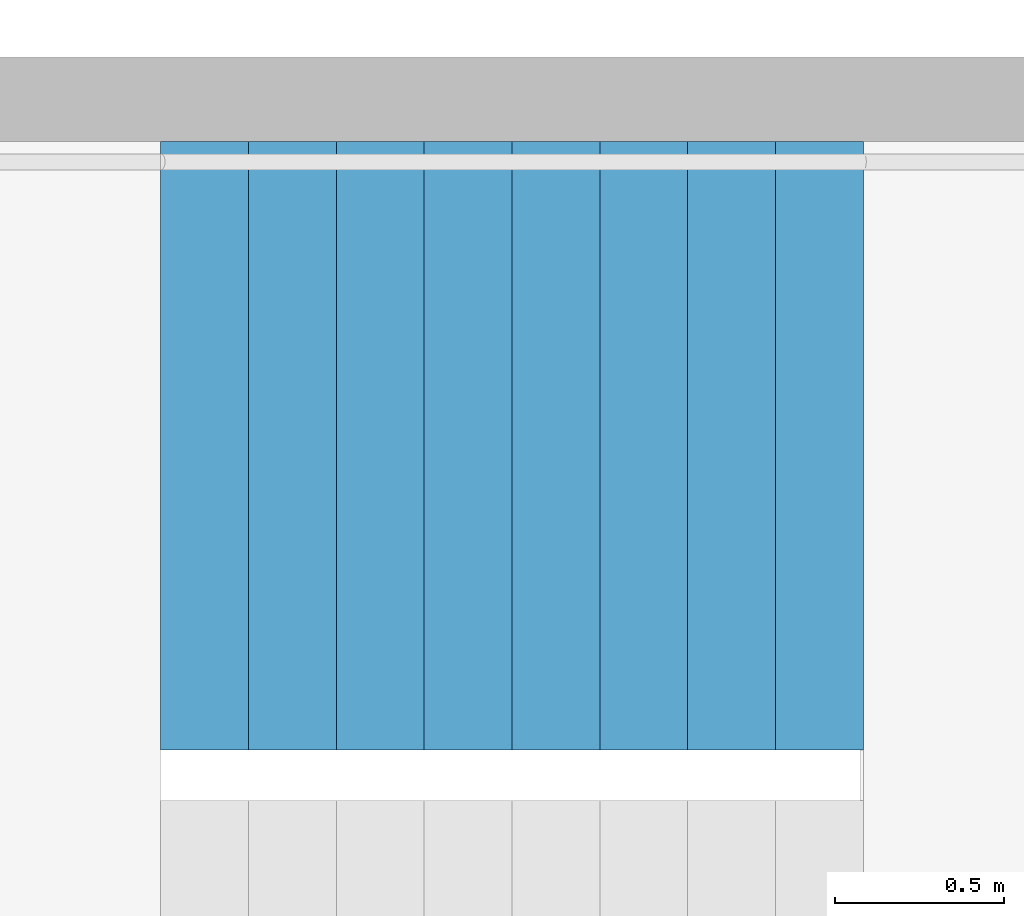
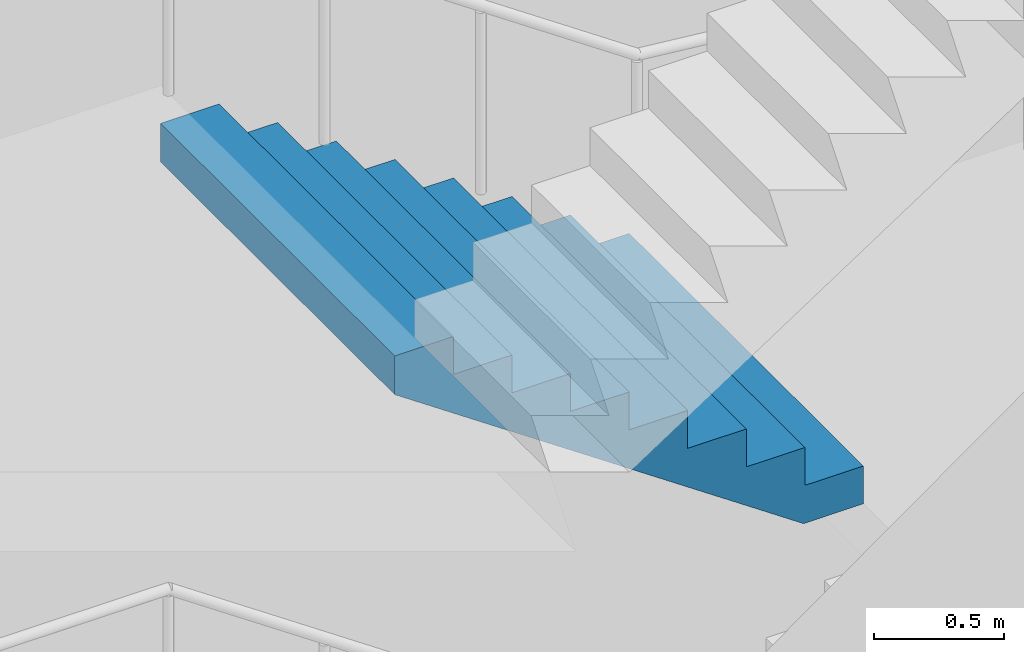
# One storey, part 20 of 43: 1 stair flight, 1 element without a shape of its own.
"""IFC4 building model written with IfcOpenShell, lengths in metres."""

import ifcopenshell
import ifcopenshell.guid

model = None  # the IFC model being written
_history = None  # IfcOwnerHistory: only IFC2X3 demands one
_inside = {}  # id of a spatial element -> (the spatial element, [elements in it])
_under = {}  # id of a project, library or spatial element -> (it, [spatial elements below it])
_declared = {}  # id of a project -> (the project, [libraries it declares])
_typed = {}  # id of a type object -> (the type object, [elements of that type])
_made_of = {}  # id of a material, layer set ... -> (it, [elements and type objects made of it])


def new_model(schema):
    """Start an empty IFC model of exactly this schema.

    Asked for "IFC4X3", IfcOpenShell would pick the latest addendum, in which some entities
    have other attributes; the version numbers below select the first issue.
    IFC2X3 requires an IfcOwnerHistory on every rooted entity: one is made here for all.
    """
    global model, _history
    if schema == "IFC4X3":
        model = ifcopenshell.file(schema_version=(4, 3, 0, 0))
    else:
        model = ifcopenshell.file(schema=schema)
    _inside.clear()
    _under.clear()
    _declared.clear()
    _typed.clear()
    _made_of.clear()
    _history = None
    if model.schema == "IFC2X3":
        org = make("IfcOrganization", Name="unknown")
        user = make(
            "IfcPersonAndOrganization",
            ThePerson=make("IfcPerson", FamilyName="unknown"),
            TheOrganization=org,
        )
        app = make(
            "IfcApplication",
            ApplicationDeveloper=org,
            Version="unknown",
            ApplicationFullName="unknown",
            ApplicationIdentifier="unknown",
        )
        _history = make(
            "IfcOwnerHistory",
            OwningUser=user,
            OwningApplication=app,
            ChangeAction="ADDED",
            CreationDate=0,
        )
    return model


def make(cls, **values):
    """One entity of the class cls with the attributes given. An attribute that is None is left unset."""
    return model.create_entity(
        cls, **{name: value for name, value in values.items() if value is not None}
    )


def rooted(cls, **values):
    """An entity with a GlobalId (a new one), such as an element, a storey or a relation."""
    return make(cls, GlobalId=ifcopenshell.guid.new(), OwnerHistory=_history, **values)


def si_unit(unit_type, name, prefix=None):
    """IfcSIUnit, for example si_unit("LENGTHUNIT", "METRE", prefix="MILLI")."""
    return make("IfcSIUnit", UnitType=unit_type, Prefix=prefix, Name=name)


def assignment(units):
    """IfcUnitAssignment: the units of a project."""
    return None if units is None else make("IfcUnitAssignment", Units=units)


def point(xyz):
    """IfcCartesianPoint."""
    return None if xyz is None else make("IfcCartesianPoint", Coordinates=xyz)


def direction(xyz):
    """IfcDirection."""
    return None if xyz is None else make("IfcDirection", DirectionRatios=xyz)


def frame(location, z_axis=None, x_axis=None):
    """IfcAxis2Placement3D, a coordinate frame: its origin and axes. An axis left out is left unset."""
    return make(
        "IfcAxis2Placement3D",
        Location=point(location),
        Axis=direction(z_axis),
        RefDirection=direction(x_axis),
    )


def origin():
    """The frame at (0, 0, 0) with its axes left unset."""
    return frame((0.0, 0.0, 0.0))


def place(relative_to, where):
    """IfcLocalPlacement: puts the frame where relative to a parent placement (None: the world)."""
    return make(
        "IfcLocalPlacement", PlacementRelTo=relative_to, RelativePlacement=where
    )


def context(
    kind, dimensions, precision=None, world=None, true_north=None, identifier=None
):
    """IfcGeometricRepresentationContext, for example the 3D "Model" context."""
    return make(
        "IfcGeometricRepresentationContext",
        ContextIdentifier=identifier,
        ContextType=kind,
        CoordinateSpaceDimension=dimensions,
        Precision=precision,
        WorldCoordinateSystem=world,
        TrueNorth=true_north,
    )


def subcontext(parent, identifier, kind, view, scale=None):
    """IfcGeometricRepresentationSubContext, for example "Body" below "Model"."""
    return make(
        "IfcGeometricRepresentationSubContext",
        ContextIdentifier=identifier,
        ContextType=kind,
        ParentContext=parent,
        TargetScale=scale,
        TargetView=view,
    )


def project(units=None, contexts=None):
    """IfcProject with its units and contexts."""
    return rooted(
        "IfcProject",
        Name="project",
        RepresentationContexts=contexts,
        UnitsInContext=assignment(units),
    )


def spatial(cls, under=None, at=None, **own):
    """A site, building, storey or space (cls), placed at a placement, below another one or the project."""
    s = rooted(cls, ObjectPlacement=at, **own)
    if under is not None:
        _under.setdefault(under.id(), (under, []))[1].append(s)
    return s


def point_list(points):
    """IfcCartesianPointList2D or 3D."""
    cls = (
        "IfcCartesianPointList2D" if len(points[0]) == 2 else "IfcCartesianPointList3D"
    )
    return make(cls, CoordList=points)


def triangles(points, corners, closed=None, point_numbers=None):
    """IfcTriangulatedFaceSet: each triangle names its three corners, points numbered from 1."""
    return make(
        "IfcTriangulatedFaceSet",
        Coordinates=point_list(points),
        Closed=closed,
        CoordIndex=corners,
        PnIndex=point_numbers,
    )


def shape(context_of_items, identifier, shape_type, items):
    """IfcShapeRepresentation: the items that make up one representation, for example the "Body"."""
    return make(
        "IfcShapeRepresentation",
        ContextOfItems=context_of_items,
        RepresentationIdentifier=identifier,
        RepresentationType=shape_type,
        Items=items,
    )


def material(Name=None, Category=None):
    """IfcMaterial."""
    return make("IfcMaterial", Name=Name, Category=Category)


def made_of(thing, what):
    """Note that an element or type object is made of a material, layer set ...; save() writes the relation."""
    if what is not None:
        _made_of.setdefault(what.id(), (what, []))[1].append(thing)
    return thing


def type_object(cls, material=None, **own):
    """A type object (cls), such as IfcWallType, which elements share."""
    return made_of(rooted(cls, **own), material)


def element(
    cls,
    number,
    at=None,
    inside=None,
    cuts=None,
    type_object=None,
    material=None,
    context=None,
    identifier="Body",
    shape_type=None,
    held_by="IfcProductDefinitionShape",
    body=None,
    shapes=None,
    **own,
):
    """One element of the class cls, such as IfcWall. Its Tag is "e" and its number.

    at: its placement. inside: the storey or other place that contains it. cuts: it is an
    opening in that element (IfcRelVoidsElement). A single representation is given by context,
    identifier, shape_type and body (its items); several are given by shapes. held_by: the class
    of the entity that holds the representations. save() writes the other relations.
    """
    e = rooted(cls, Tag="e%d" % number, ObjectPlacement=at, **own)
    if body is not None:
        shapes = [shape(context, identifier, shape_type, body)]
    if shapes is not None:
        e.Representation = make(held_by, Representations=shapes)
    if inside is not None:
        _inside.setdefault(inside.id(), (inside, []))[1].append(e)
    if cuts is not None:
        rooted(
            "IfcRelVoidsElement", RelatingBuildingElement=cuts, RelatedOpeningElement=e
        )
    if type_object is not None:
        _typed.setdefault(type_object.id(), (type_object, []))[1].append(e)
    return made_of(e, material)


def aggregate(whole, parts):
    """IfcRelAggregates: a whole, such as a stair, and the parts it consists of."""
    return rooted("IfcRelAggregates", RelatingObject=whole, RelatedObjects=parts)


def save(model, path):
    """Write the relations noted so far, then the file.

    IfcRelAggregates (storeys below a building ...), IfcRelContainedInSpatialStructure (elements
    in a storey), IfcRelDefinesByType, IfcRelAssociatesMaterial and IfcRelDeclares: one each for
    every whole, place, type object, material and project.
    """
    for whole, parts in _under.values():
        aggregate(whole, parts)
    for where, things in _inside.values():
        rooted(
            "IfcRelContainedInSpatialStructure",
            RelatedElements=things,
            RelatingStructure=where,
        )
    for kind, things in _typed.values():
        rooted("IfcRelDefinesByType", RelatedObjects=things, RelatingType=kind)
    for what, things in _made_of.values():
        rooted("IfcRelAssociatesMaterial", RelatedObjects=things, RelatingMaterial=what)
    for by, libraries in _declared.values():
        rooted("IfcRelDeclares", RelatingContext=by, RelatedDefinitions=libraries)
    model.write(path)


model = new_model("IFC4")

# Units and contexts
model_context = context("Model", 3, precision=1e-05, world=origin(), true_north=direction((0.0, 1.0)))
body_context = subcontext(model_context, "Body", "Model", "MODEL_VIEW")
ifc_project = project(units=[si_unit("LENGTHUNIT", "METRE"), si_unit("AREAUNIT", "SQUARE_METRE"), si_unit("VOLUMEUNIT", "CUBIC_METRE"), si_unit("PLANEANGLEUNIT", "RADIAN"), si_unit("MASSUNIT", "GRAM", prefix="KILO")], contexts=[model_context])

# Site, building, storey
site_placement = place(None, origin())
site = spatial("IfcSite", under=ifc_project, at=site_placement, CompositionType="ELEMENT")
building_placement = place(site_placement, origin())
building = spatial("IfcBuilding", under=site, at=building_placement, Name="Hakoniwa Tower and Hamabe Station Hall", CompositionType="ELEMENT")
storey_placement = place(building_placement, frame((0.0, 0.0, 124.60009765625)))
storey = spatial("IfcBuildingStorey", under=building, at=storey_placement, Name="L35", CompositionType="ELEMENT", Elevation=124.60009765625)

# Stair, stair flight
ifc_material_1 = material(Name="Concrete C40", Category="concrete")
stair_type = type_object("IfcStairType", Name="ESCAPE STAIR 1800", PredefinedType="HALF_TURN_STAIR", material=ifc_material_1)
stair_placement = place(storey_placement, origin())
stair = element("IfcStair", 1, at=stair_placement, inside=storey, type_object=stair_type, Name="Escape stair ST-2 L35", PredefinedType="HALF_TURN_STAIR")
ifc_material_2 = material(Name="Concrete C40", Category="concrete")
stair_flight_type = type_object("IfcStairFlightType", Name="STAIR FLIGHT 1800", PredefinedType="STRAIGHT", material=ifc_material_2)
stair_flight_placement = place(storey_placement, frame((-23.39990234375, -4.64990234375, 3.199951171875), z_axis=(0.0, 0.0, 1.0), x_axis=(-1.0, 0.0, 0.0)))
stair_flight = element("IfcStairFlight", 2, at=stair_flight_placement, type_object=stair_flight_type, Name="ST-2 flight 3", NumberOfRisers=9, NumberOfTreads=8, PredefinedType="STRAIGHT", RiserHeight=0.177777778, TreadLength=0.26, context=body_context, shape_type="Tessellation", body=[
    triangles([(0.0, 0.89990234375, 0.0), (0.260009765625, 0.89990234375, 0.0), (0.265625, 0.89990234375, 0.0), (0.52001953125, 0.89990234375, 0.174072265625), (0.780029296875, 0.89990234375, 0.351806640625), (1.0400390625, 0.89990234375, 0.529541015625), (1.300048828125, 0.89990234375, 0.707275390625), (1.56005859375, 0.89990234375, 0.885009765625), (1.820068359375, 0.89990234375, 1.062744140625), (2.080078125, 0.89990234375, 1.24072265625), (2.080078125, 0.89990234375, 1.422119140625), (1.820068359375, 0.89990234375, 1.422119140625), (1.820068359375, 0.89990234375, 1.244384765625), (1.56005859375, 0.89990234375, 1.244384765625), (1.56005859375, 0.89990234375, 1.066650390625), (1.300048828125, 0.89990234375, 1.066650390625), (1.300048828125, 0.89990234375, 0.888916015625), (1.0400390625, 0.89990234375, 0.888916015625), (1.0400390625, 0.89990234375, 0.711181640625), (0.780029296875, 0.89990234375, 0.711181640625), (0.780029296875, 0.89990234375, 0.533447265625), (0.52001953125, 0.89990234375, 0.533447265625), (0.52001953125, 0.89990234375, 0.35546875), (0.265625, 0.89990234375, 0.35546875), (0.260009765625, 0.89990234375, 0.35546875), (0.260009765625, 0.89990234375, 0.177734375), (0.0, 0.89990234375, 0.177734375), (0.0, 0.06005859375, 0.0), (0.260009765625, 0.06005859375, 0.0), (0.265625, 0.06005859375, 0.0), (0.52001953125, 0.06005859375, 0.174072265625), (0.780029296875, 0.06005859375, 0.351806640625), (1.0400390625, 0.06005859375, 0.529541015625), (1.300048828125, 0.06005859375, 0.707275390625), (1.56005859375, 0.06005859375, 0.885009765625), (1.820068359375, 0.06005859375, 1.062744140625), (2.080078125, 0.06005859375, 1.24072265625), (2.080078125, 0.06005859375, 1.422119140625), (1.820068359375, 0.06005859375, 1.422119140625), (1.820068359375, 0.06005859375, 1.244384765625), (1.56005859375, 0.06005859375, 1.244384765625), (1.56005859375, 0.06005859375, 1.066650390625), (1.300048828125, 0.06005859375, 1.066650390625), (1.300048828125, 0.06005859375, 0.888916015625), (1.0400390625, 0.06005859375, 0.888916015625), (1.0400390625, 0.06005859375, 0.711181640625), (0.780029296875, 0.06005859375, 0.711181640625), (0.780029296875, 0.06005859375, 0.533447265625), (0.52001953125, 0.06005859375, 0.533447265625), (0.52001953125, 0.06005859375, 0.35546875), (0.265625, 0.06005859375, 0.35546875), (0.260009765625, 0.06005859375, 0.35546875), (0.260009765625, 0.06005859375, 0.177734375), (0.0, 0.06005859375, 0.177734375), (0.0, 0.04296875, 0.0), (0.260009765625, 0.04296875, 0.0), (0.265625, 0.04296875, 0.0), (0.52001953125, 0.04296875, 0.174072265625), (0.780029296875, 0.04296875, 0.351806640625), (1.0400390625, 0.04296875, 0.529541015625), (1.300048828125, 0.04296875, 0.707275390625), (1.56005859375, 0.04296875, 0.885009765625), (1.820068359375, 0.04296875, 1.062744140625), (2.080078125, 0.04296875, 1.24072265625), (2.080078125, 0.04296875, 1.422119140625), (1.820068359375, 0.04296875, 1.422119140625), (1.820068359375, 0.04296875, 1.244384765625), (1.56005859375, 0.04296875, 1.244384765625), (1.56005859375, 0.04296875, 1.066650390625), (1.300048828125, 0.04296875, 1.066650390625), (1.300048828125, 0.04296875, 0.888916015625), (1.0400390625, 0.04296875, 0.888916015625), (1.0400390625, 0.04296875, 0.711181640625), (0.780029296875, 0.04296875, 0.711181640625), (0.780029296875, 0.04296875, 0.533447265625), (0.52001953125, 0.04296875, 0.533447265625), (0.52001953125, 0.04296875, 0.35546875), (0.265625, 0.04296875, 0.35546875), (0.260009765625, 0.04296875, 0.35546875), (0.260009765625, 0.04296875, 0.177734375), (0.0, 0.04296875, 0.177734375), (0.0, 0.025634765625, 0.0), (0.260009765625, 0.025634765625, 0.0), (0.265625, 0.025634765625, 0.0), (0.52001953125, 0.025634765625, 0.174072265625), (0.780029296875, 0.025634765625, 0.351806640625), (1.0400390625, 0.025634765625, 0.529541015625), (1.300048828125, 0.025634765625, 0.707275390625), (1.56005859375, 0.025634765625, 0.885009765625), (1.820068359375, 0.025634765625, 1.062744140625), (2.080078125, 0.025634765625, 1.24072265625), (2.080078125, 0.025634765625, 1.422119140625), (1.820068359375, 0.025634765625, 1.422119140625), (1.820068359375, 0.025634765625, 1.244384765625), (1.56005859375, 0.025634765625, 1.244384765625), (1.56005859375, 0.025634765625, 1.066650390625), (1.300048828125, 0.025634765625, 1.066650390625), (1.300048828125, 0.025634765625, 0.888916015625), (1.0400390625, 0.025634765625, 0.888916015625), (1.0400390625, 0.025634765625, 0.711181640625), (0.780029296875, 0.025634765625, 0.711181640625), (0.780029296875, 0.025634765625, 0.533447265625), (0.52001953125, 0.025634765625, 0.533447265625), (0.52001953125, 0.025634765625, 0.35546875), (0.265625, 0.025634765625, 0.35546875), (0.260009765625, 0.025634765625, 0.35546875), (0.260009765625, 0.025634765625, 0.177734375), (0.0, 0.025634765625, 0.177734375), (0.0, 0.008544921875, 0.0), (0.260009765625, 0.008544921875, 0.0), (0.265625, 0.008544921875, 0.0), (0.52001953125, 0.008544921875, 0.174072265625), (0.780029296875, 0.008544921875, 0.351806640625), (1.0400390625, 0.008544921875, 0.529541015625), (1.300048828125, 0.008544921875, 0.707275390625), (1.56005859375, 0.008544921875, 0.885009765625), (1.820068359375, 0.008544921875, 1.062744140625), (2.080078125, 0.008544921875, 1.24072265625), (2.080078125, 0.008544921875, 1.422119140625), (1.820068359375, 0.008544921875, 1.422119140625), (1.820068359375, 0.008544921875, 1.244384765625), (1.56005859375, 0.008544921875, 1.244384765625), (1.56005859375, 0.008544921875, 1.066650390625), (1.300048828125, 0.008544921875, 1.066650390625), (1.300048828125, 0.008544921875, 0.888916015625), (1.0400390625, 0.008544921875, 0.888916015625), (1.0400390625, 0.008544921875, 0.711181640625), (0.780029296875, 0.008544921875, 0.711181640625), (0.780029296875, 0.008544921875, 0.533447265625), (0.52001953125, 0.008544921875, 0.533447265625), (0.52001953125, 0.008544921875, 0.35546875), (0.265625, 0.008544921875, 0.35546875), (0.260009765625, 0.008544921875, 0.35546875), (0.260009765625, 0.008544921875, 0.177734375), (0.0, 0.008544921875, 0.177734375), (0.0, -0.008544921875, 0.0), (0.260009765625, -0.008544921875, 0.0), (0.265625, -0.008544921875, 0.0), (0.52001953125, -0.008544921875, 0.174072265625), (0.780029296875, -0.008544921875, 0.351806640625), (1.0400390625, -0.008544921875, 0.529541015625), (1.300048828125, -0.008544921875, 0.707275390625), (1.56005859375, -0.008544921875, 0.885009765625), (1.820068359375, -0.008544921875, 1.062744140625), (2.080078125, -0.008544921875, 1.24072265625), (2.080078125, -0.008544921875, 1.422119140625), (1.820068359375, -0.008544921875, 1.422119140625), (1.820068359375, -0.008544921875, 1.244384765625), (1.56005859375, -0.008544921875, 1.244384765625), (1.56005859375, -0.008544921875, 1.066650390625), (1.300048828125, -0.008544921875, 1.066650390625), (1.300048828125, -0.008544921875, 0.888916015625), (1.0400390625, -0.008544921875, 0.888916015625), (1.0400390625, -0.008544921875, 0.711181640625), (0.780029296875, -0.008544921875, 0.711181640625), (0.780029296875, -0.008544921875, 0.533447265625), (0.52001953125, -0.008544921875, 0.533447265625), (0.52001953125, -0.008544921875, 0.35546875), (0.265625, -0.008544921875, 0.35546875), (0.260009765625, -0.008544921875, 0.35546875), (0.260009765625, -0.008544921875, 0.177734375), (0.0, -0.008544921875, 0.177734375), (0.0, -0.025634765625, 0.0), (0.260009765625, -0.025634765625, 0.0), (0.265625, -0.025634765625, 0.0), (0.52001953125, -0.025634765625, 0.174072265625), (0.780029296875, -0.025634765625, 0.351806640625), (1.0400390625, -0.025634765625, 0.529541015625), (1.300048828125, -0.025634765625, 0.707275390625), (1.56005859375, -0.025634765625, 0.885009765625), (1.820068359375, -0.025634765625, 1.062744140625), (2.080078125, -0.025634765625, 1.24072265625), (2.080078125, -0.025634765625, 1.422119140625), (1.820068359375, -0.025634765625, 1.422119140625), (1.820068359375, -0.025634765625, 1.244384765625), (1.56005859375, -0.025634765625, 1.244384765625), (1.56005859375, -0.025634765625, 1.066650390625), (1.300048828125, -0.025634765625, 1.066650390625), (1.300048828125, -0.025634765625, 0.888916015625), (1.0400390625, -0.025634765625, 0.888916015625), (1.0400390625, -0.025634765625, 0.711181640625), (0.780029296875, -0.025634765625, 0.711181640625), (0.780029296875, -0.025634765625, 0.533447265625), (0.52001953125, -0.025634765625, 0.533447265625), (0.52001953125, -0.025634765625, 0.35546875), (0.265625, -0.025634765625, 0.35546875), (0.260009765625, -0.025634765625, 0.35546875), (0.260009765625, -0.025634765625, 0.177734375), (0.0, -0.025634765625, 0.177734375), (0.0, -0.04296875, 0.0), (0.260009765625, -0.04296875, 0.0), (0.265625, -0.04296875, 0.0), (0.52001953125, -0.04296875, 0.174072265625), (0.780029296875, -0.04296875, 0.351806640625), (1.0400390625, -0.04296875, 0.529541015625), (1.300048828125, -0.04296875, 0.707275390625), (1.56005859375, -0.04296875, 0.885009765625), (1.820068359375, -0.04296875, 1.062744140625), (2.080078125, -0.04296875, 1.24072265625), (2.080078125, -0.04296875, 1.422119140625), (1.820068359375, -0.04296875, 1.422119140625), (1.820068359375, -0.04296875, 1.244384765625), (1.56005859375, -0.04296875, 1.244384765625), (1.56005859375, -0.04296875, 1.066650390625), (1.300048828125, -0.04296875, 1.066650390625), (1.300048828125, -0.04296875, 0.888916015625), (1.0400390625, -0.04296875, 0.888916015625), (1.0400390625, -0.04296875, 0.711181640625), (0.780029296875, -0.04296875, 0.711181640625), (0.780029296875, -0.04296875, 0.533447265625), (0.52001953125, -0.04296875, 0.533447265625), (0.52001953125, -0.04296875, 0.35546875), (0.265625, -0.04296875, 0.35546875), (0.260009765625, -0.04296875, 0.35546875), (0.260009765625, -0.04296875, 0.177734375), (0.0, -0.04296875, 0.177734375), (0.0, -0.06005859375, 0.0), (0.260009765625, -0.06005859375, 0.0), (0.265625, -0.06005859375, 0.0), (0.52001953125, -0.06005859375, 0.174072265625), (0.780029296875, -0.06005859375, 0.351806640625), (1.0400390625, -0.06005859375, 0.529541015625), (1.300048828125, -0.06005859375, 0.707275390625), (1.56005859375, -0.06005859375, 0.885009765625), (1.820068359375, -0.06005859375, 1.062744140625), (2.080078125, -0.06005859375, 1.24072265625), (2.080078125, -0.06005859375, 1.422119140625), (1.820068359375, -0.06005859375, 1.422119140625), (1.820068359375, -0.06005859375, 1.244384765625), (1.56005859375, -0.06005859375, 1.244384765625), (1.56005859375, -0.06005859375, 1.066650390625), (1.300048828125, -0.06005859375, 1.066650390625), (1.300048828125, -0.06005859375, 0.888916015625), (1.0400390625, -0.06005859375, 0.888916015625), (1.0400390625, -0.06005859375, 0.711181640625), (0.780029296875, -0.06005859375, 0.711181640625), (0.780029296875, -0.06005859375, 0.533447265625), (0.52001953125, -0.06005859375, 0.533447265625), (0.52001953125, -0.06005859375, 0.35546875), (0.265625, -0.06005859375, 0.35546875), (0.260009765625, -0.06005859375, 0.35546875), (0.260009765625, -0.06005859375, 0.177734375), (0.0, -0.06005859375, 0.177734375), (0.0, -0.89990234375, 0.0), (0.260009765625, -0.89990234375, 0.0), (0.265625, -0.89990234375, 0.0), (0.52001953125, -0.89990234375, 0.174072265625), (0.780029296875, -0.89990234375, 0.351806640625), (1.0400390625, -0.89990234375, 0.529541015625), (1.300048828125, -0.89990234375, 0.707275390625), (1.56005859375, -0.89990234375, 0.885009765625), (1.820068359375, -0.89990234375, 1.062744140625), (2.080078125, -0.89990234375, 1.24072265625), (2.080078125, -0.89990234375, 1.422119140625), (1.820068359375, -0.89990234375, 1.422119140625), (1.820068359375, -0.89990234375, 1.244384765625), (1.56005859375, -0.89990234375, 1.244384765625), (1.56005859375, -0.89990234375, 1.066650390625), (1.300048828125, -0.89990234375, 1.066650390625), (1.300048828125, -0.89990234375, 0.888916015625), (1.0400390625, -0.89990234375, 0.888916015625), (1.0400390625, -0.89990234375, 0.711181640625), (0.780029296875, -0.89990234375, 0.711181640625), (0.780029296875, -0.89990234375, 0.533447265625), (0.52001953125, -0.89990234375, 0.533447265625), (0.52001953125, -0.89990234375, 0.35546875), (0.265625, -0.89990234375, 0.35546875), (0.260009765625, -0.89990234375, 0.35546875), (0.260009765625, -0.89990234375, 0.177734375), (0.0, -0.89990234375, 0.177734375)], [[2, 27, 26], [245, 269, 270], [2, 1, 27], [245, 270, 244], [3, 25, 24], [246, 267, 268], [3, 26, 25], [246, 268, 269], [3, 2, 26], [246, 269, 245], [4, 24, 23], [247, 266, 267], [4, 3, 24], [247, 267, 246], [5, 22, 21], [248, 264, 265], [5, 23, 22], [248, 265, 266], [5, 4, 23], [248, 266, 247], [6, 20, 19], [249, 262, 263], [6, 21, 20], [249, 263, 264], [6, 5, 21], [249, 264, 248], [7, 18, 17], [250, 260, 261], [7, 19, 18], [250, 261, 262], [7, 6, 19], [250, 262, 249], [8, 16, 15], [251, 258, 259], [8, 17, 16], [251, 259, 260], [8, 7, 17], [251, 260, 250], [9, 14, 13], [252, 256, 257], [9, 15, 14], [252, 257, 258], [9, 8, 15], [252, 258, 251], [10, 12, 11], [253, 254, 255], [10, 13, 12], [253, 255, 256], [10, 9, 13], [253, 256, 252], [1, 2, 29], [1, 29, 28], [28, 29, 56], [28, 56, 55], [55, 56, 83], [55, 83, 82], [82, 83, 110], [82, 110, 109], [109, 110, 137], [109, 137, 136], [136, 137, 164], [136, 164, 163], [163, 164, 191], [163, 191, 190], [190, 191, 218], [190, 218, 217], [217, 218, 245], [217, 245, 244], [2, 3, 30], [2, 30, 29], [29, 30, 57], [29, 57, 56], [56, 57, 84], [56, 84, 83], [83, 84, 111], [83, 111, 110], [110, 111, 138], [110, 138, 137], [137, 138, 165], [137, 165, 164], [164, 165, 192], [164, 192, 191], [191, 192, 219], [191, 219, 218], [218, 219, 246], [218, 246, 245], [3, 4, 31], [3, 31, 30], [30, 31, 58], [30, 58, 57], [57, 58, 85], [57, 85, 84], [84, 85, 112], [84, 112, 111], [111, 112, 139], [111, 139, 138], [138, 139, 166], [138, 166, 165], [165, 166, 193], [165, 193, 192], [192, 193, 220], [192, 220, 219], [219, 220, 247], [219, 247, 246], [4, 5, 32], [4, 32, 31], [31, 32, 59], [31, 59, 58], [58, 59, 86], [58, 86, 85], [85, 86, 113], [85, 113, 112], [112, 113, 140], [112, 140, 139], [139, 140, 167], [139, 167, 166], [166, 167, 194], [166, 194, 193], [193, 194, 221], [193, 221, 220], [220, 221, 248], [220, 248, 247], [5, 6, 33], [5, 33, 32], [32, 33, 60], [32, 60, 59], [59, 60, 87], [59, 87, 86], [86, 87, 114], [86, 114, 113], [113, 114, 141], [113, 141, 140], [140, 141, 168], [140, 168, 167], [167, 168, 195], [167, 195, 194], [194, 195, 222], [194, 222, 221], [221, 222, 249], [221, 249, 248], [6, 7, 34], [6, 34, 33], [33, 34, 61], [33, 61, 60], [60, 61, 88], [60, 88, 87], [87, 88, 115], [87, 115, 114], [114, 115, 142], [114, 142, 141], [141, 142, 169], [141, 169, 168], [168, 169, 196], [168, 196, 195], [195, 196, 223], [195, 223, 222], [222, 223, 250], [222, 250, 249], [7, 8, 35], [7, 35, 34], [34, 35, 62], [34, 62, 61], [61, 62, 89], [61, 89, 88], [88, 89, 116], [88, 116, 115], [115, 116, 143], [115, 143, 142], [142, 143, 170], [142, 170, 169], [169, 170, 197], [169, 197, 196], [196, 197, 224], [196, 224, 223], [223, 224, 251], [223, 251, 250], [8, 9, 36], [8, 36, 35], [35, 36, 63], [35, 63, 62], [62, 63, 90], [62, 90, 89], [89, 90, 117], [89, 117, 116], [116, 117, 144], [116, 144, 143], [143, 144, 171], [143, 171, 170], [170, 171, 198], [170, 198, 197], [197, 198, 225], [197, 225, 224], [224, 225, 252], [224, 252, 251], [9, 10, 37], [9, 37, 36], [36, 37, 64], [36, 64, 63], [63, 64, 91], [63, 91, 90], [90, 91, 118], [90, 118, 117], [117, 118, 145], [117, 145, 144], [144, 145, 172], [144, 172, 171], [171, 172, 199], [171, 199, 198], [198, 199, 226], [198, 226, 225], [225, 226, 253], [225, 253, 252], [10, 11, 38], [10, 38, 37], [37, 38, 65], [37, 65, 64], [64, 65, 92], [64, 92, 91], [91, 92, 119], [91, 119, 118], [118, 119, 146], [118, 146, 145], [145, 146, 173], [145, 173, 172], [172, 173, 200], [172, 200, 199], [199, 200, 227], [199, 227, 226], [226, 227, 254], [226, 254, 253], [11, 12, 39], [11, 39, 38], [38, 39, 66], [38, 66, 65], [65, 66, 93], [65, 93, 92], [92, 93, 120], [92, 120, 119], [119, 120, 147], [119, 147, 146], [146, 147, 174], [146, 174, 173], [173, 174, 201], [173, 201, 200], [200, 201, 228], [200, 228, 227], [227, 228, 255], [227, 255, 254], [12, 13, 40], [12, 40, 39], [39, 40, 67], [39, 67, 66], [66, 67, 94], [66, 94, 93], [93, 94, 121], [93, 121, 120], [120, 121, 148], [120, 148, 147], [147, 148, 175], [147, 175, 174], [174, 175, 202], [174, 202, 201], [201, 202, 229], [201, 229, 228], [228, 229, 256], [228, 256, 255], [13, 14, 41], [13, 41, 40], [40, 41, 68], [40, 68, 67], [67, 68, 95], [67, 95, 94], [94, 95, 122], [94, 122, 121], [121, 122, 149], [121, 149, 148], [148, 149, 176], [148, 176, 175], [175, 176, 203], [175, 203, 202], [202, 203, 230], [202, 230, 229], [229, 230, 257], [229, 257, 256], [14, 15, 42], [14, 42, 41], [41, 42, 69], [41, 69, 68], [68, 69, 96], [68, 96, 95], [95, 96, 123], [95, 123, 122], [122, 123, 150], [122, 150, 149], [149, 150, 177], [149, 177, 176], [176, 177, 204], [176, 204, 203], [203, 204, 231], [203, 231, 230], [230, 231, 258], [230, 258, 257], [15, 16, 43], [15, 43, 42], [42, 43, 70], [42, 70, 69], [69, 70, 97], [69, 97, 96], [96, 97, 124], [96, 124, 123], [123, 124, 151], [123, 151, 150], [150, 151, 178], [150, 178, 177], [177, 178, 205], [177, 205, 204], [204, 205, 232], [204, 232, 231], [231, 232, 259], [231, 259, 258], [16, 17, 44], [16, 44, 43], [43, 44, 71], [43, 71, 70], [70, 71, 98], [70, 98, 97], [97, 98, 125], [97, 125, 124], [124, 125, 152], [124, 152, 151], [151, 152, 179], [151, 179, 178], [178, 179, 206], [178, 206, 205], [205, 206, 233], [205, 233, 232], [232, 233, 260], [232, 260, 259], [17, 18, 45], [17, 45, 44], [44, 45, 72], [44, 72, 71], [71, 72, 99], [71, 99, 98], [98, 99, 126], [98, 126, 125], [125, 126, 153], [125, 153, 152], [152, 153, 180], [152, 180, 179], [179, 180, 207], [179, 207, 206], [206, 207, 234], [206, 234, 233], [233, 234, 261], [233, 261, 260], [18, 19, 46], [18, 46, 45], [45, 46, 73], [45, 73, 72], [72, 73, 100], [72, 100, 99], [99, 100, 127], [99, 127, 126], [126, 127, 154], [126, 154, 153], [153, 154, 181], [153, 181, 180], [180, 181, 208], [180, 208, 207], [207, 208, 235], [207, 235, 234], [234, 235, 262], [234, 262, 261], [19, 20, 47], [19, 47, 46], [46, 47, 74], [46, 74, 73], [73, 74, 101], [73, 101, 100], [100, 101, 128], [100, 128, 127], [127, 128, 155], [127, 155, 154], [154, 155, 182], [154, 182, 181], [181, 182, 209], [181, 209, 208], [208, 209, 236], [208, 236, 235], [235, 236, 263], [235, 263, 262], [20, 21, 48], [20, 48, 47], [47, 48, 75], [47, 75, 74], [74, 75, 102], [74, 102, 101], [101, 102, 129], [101, 129, 128], [128, 129, 156], [128, 156, 155], [155, 156, 183], [155, 183, 182], [182, 183, 210], [182, 210, 209], [209, 210, 237], [209, 237, 236], [236, 237, 264], [236, 264, 263], [21, 22, 49], [21, 49, 48], [48, 49, 76], [48, 76, 75], [75, 76, 103], [75, 103, 102], [102, 103, 130], [102, 130, 129], [129, 130, 157], [129, 157, 156], [156, 157, 184], [156, 184, 183], [183, 184, 211], [183, 211, 210], [210, 211, 238], [210, 238, 237], [237, 238, 265], [237, 265, 264], [22, 23, 50], [22, 50, 49], [49, 50, 77], [49, 77, 76], [76, 77, 104], [76, 104, 103], [103, 104, 131], [103, 131, 130], [130, 131, 158], [130, 158, 157], [157, 158, 185], [157, 185, 184], [184, 185, 212], [184, 212, 211], [211, 212, 239], [211, 239, 238], [238, 239, 266], [238, 266, 265], [23, 24, 51], [23, 51, 50], [50, 51, 78], [50, 78, 77], [77, 78, 105], [77, 105, 104], [104, 105, 132], [104, 132, 131], [131, 132, 159], [131, 159, 158], [158, 159, 186], [158, 186, 185], [185, 186, 213], [185, 213, 212], [212, 213, 240], [212, 240, 239], [239, 240, 267], [239, 267, 266], [24, 25, 52], [24, 52, 51], [51, 52, 79], [51, 79, 78], [78, 79, 106], [78, 106, 105], [105, 106, 133], [105, 133, 132], [132, 133, 160], [132, 160, 159], [159, 160, 187], [159, 187, 186], [186, 187, 214], [186, 214, 213], [213, 214, 241], [213, 241, 240], [240, 241, 268], [240, 268, 267], [25, 26, 53], [25, 53, 52], [52, 53, 80], [52, 80, 79], [79, 80, 107], [79, 107, 106], [106, 107, 134], [106, 134, 133], [133, 134, 161], [133, 161, 160], [160, 161, 188], [160, 188, 187], [187, 188, 215], [187, 215, 214], [214, 215, 242], [214, 242, 241], [241, 242, 269], [241, 269, 268], [26, 27, 54], [26, 54, 53], [53, 54, 81], [53, 81, 80], [80, 81, 108], [80, 108, 107], [107, 108, 135], [107, 135, 134], [134, 135, 162], [134, 162, 161], [161, 162, 189], [161, 189, 188], [188, 189, 216], [188, 216, 215], [215, 216, 243], [215, 243, 242], [242, 243, 270], [242, 270, 269], [27, 1, 28], [27, 28, 54], [54, 28, 55], [54, 55, 81], [81, 55, 82], [81, 82, 108], [108, 82, 109], [108, 109, 135], [135, 109, 136], [135, 136, 162], [162, 136, 163], [162, 163, 189], [189, 163, 190], [189, 190, 216], [216, 190, 217], [216, 217, 243], [243, 217, 244], [243, 244, 270]], closed=True),
])
aggregate(stair, [stair_flight])

save(model, "model.ifc")
